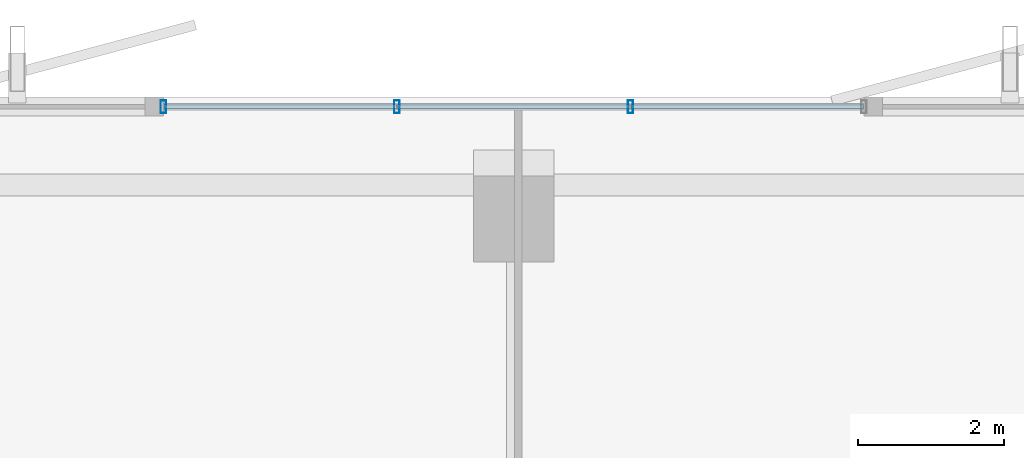
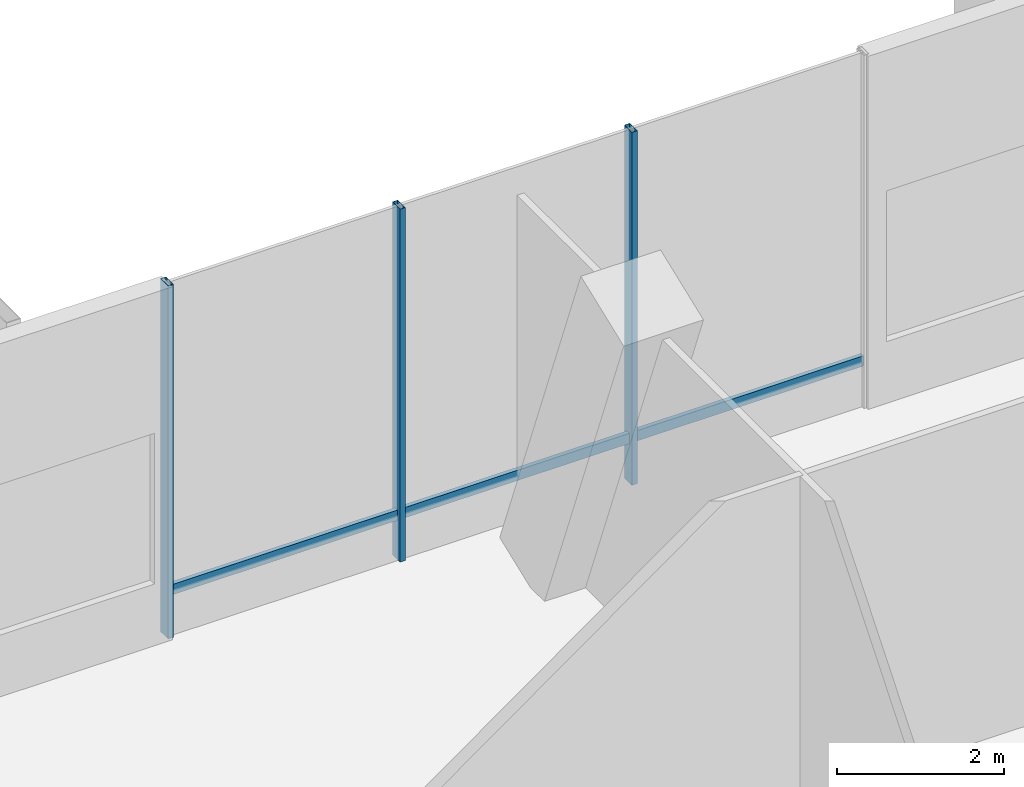
# One storey, part 22 of 33: 6 members, 1 element without a shape of its own.
"""IFC4 building model written with IfcOpenShell, lengths in metres."""

from ifc_helpers import new_model, si_unit, direction, frame, origin, origin_2d, place, context, subcontext, project, spatial, hollow_rectangle, extrude, material, layer, layer_set, material_profile, profile_set, type_object, element, aggregate, save


model = new_model("IFC4")

# Units and contexts
model_context = context("Model", 3, precision=1e-05, world=origin(), true_north=direction((0.0, 1.0)))
body_context = subcontext(model_context, "Body", "Model", "MODEL_VIEW")
ifc_project = project(units=[si_unit("LENGTHUNIT", "METRE"), si_unit("AREAUNIT", "SQUARE_METRE"), si_unit("VOLUMEUNIT", "CUBIC_METRE"), si_unit("PLANEANGLEUNIT", "RADIAN"), si_unit("MASSUNIT", "GRAM", prefix="KILO")], contexts=[model_context])

# Site, building, storey
site_placement = place(None, origin())
site = spatial("IfcSite", under=ifc_project, at=site_placement, CompositionType="ELEMENT")
building_placement = place(site_placement, origin())
building = spatial("IfcBuilding", under=site, at=building_placement, Name="Belovzor Exchange Tower", CompositionType="ELEMENT")
storey_placement = place(building_placement, frame((0.0, 0.0, 241.199951171875)))
storey = spatial("IfcBuildingStorey", under=building, at=storey_placement, Name="L60", CompositionType="ELEMENT", Elevation=241.199951171875)

# Curtain wall, members
ifc_material_1 = material(Name="Anodised Aluminium Framing", Category="aluminium")
ifc_layer = layer(ifc_material_1, 0.239990234375)
ifc_layer_set = layer_set([ifc_layer], Name="Anodised Aluminium Framing")
curtain_wall_type = type_object("IfcCurtainWallType", Name="Sky-Lobby Double-Skin Acoustic Curtain Wall", PredefinedType="NOTDEFINED", material=ifc_layer_set)
curtain_wall_placement = place(storey_placement, origin())
curtain_wall = element("IfcCurtainWall", 1, at=curtain_wall_placement, inside=storey, type_object=curtain_wall_type, Name="CW4 Sky-Lobby Double-Skin Acoustic Curtain Wall L60", PredefinedType="NOTDEFINED")
ifc_material_2 = material(Name="Steel S355", Category="steel")
ifc_material_profile_1 = material_profile(ifc_material_2, hollow_rectangle(XDim=0.074951171875, YDim=0.179931640625, WallThickness=0.0048828125, at=origin_2d()))
ifc_profile_set_1 = profile_set([ifc_material_profile_1], Name="Steel S355")
member_type_1 = type_object("IfcMemberType", Name="Thermally Broken Curtain Wall Mullion 180x75", PredefinedType="MULLION", material=ifc_profile_set_1)
member_1_placement = place(storey_placement, frame((24.0, 55.669921875, 0.0), z_axis=(0.0, 0.0, 1.0), x_axis=(1.0, 0.0, 0.0)))
member_1 = element("IfcMember", 2, at=member_1_placement, type_object=member_type_1, Name="CW-M180 Curtain Wall Mullion 1", PredefinedType="MULLION", context=body_context, shape_type="SweptSolid", body=[
    extrude(hollow_rectangle(XDim=0.074951171875, YDim=0.179931640625, WallThickness=0.0048828125, at=origin_2d()), origin(), (0.0, 0.0, 1.0), 5.150146484375),
])
member_2_placement = place(storey_placement, frame((27.199951171875, 55.669921875, 0.0), z_axis=(0.0, 0.0, 1.0), x_axis=(1.0, 0.0, 0.0)))
member_2 = element("IfcMember", 3, at=member_2_placement, type_object=member_type_1, Name="CW-M180 Curtain Wall Mullion 2", PredefinedType="MULLION", context=body_context, shape_type="SweptSolid", body=[
    extrude(hollow_rectangle(XDim=0.074951171875, YDim=0.179931640625, WallThickness=0.0048828125, at=origin_2d()), origin(), (0.0, 0.0, 1.0), 5.150146484375),
])
member_3_placement = place(storey_placement, frame((30.39990234375, 55.669921875, 0.0), z_axis=(0.0, 0.0, 1.0), x_axis=(1.0, 0.0, 0.0)))
member_3 = element("IfcMember", 4, at=member_3_placement, type_object=member_type_1, Name="CW-M180 Curtain Wall Mullion 3", PredefinedType="MULLION", context=body_context, shape_type="SweptSolid", body=[
    extrude(hollow_rectangle(XDim=0.074951171875, YDim=0.179931640625, WallThickness=0.0048828125, at=origin_2d()), origin(), (0.0, 0.0, 1.0), 5.150146484375),
])
ifc_material_3 = material(Name="Steel S355", Category="steel")
ifc_material_profile_2 = material_profile(ifc_material_3, hollow_rectangle(XDim=0.06005859375, YDim=0.14990234375, WallThickness=0.00390625, at=origin_2d()))
ifc_profile_set_2 = profile_set([ifc_material_profile_2], Name="Steel S355")
member_type_2 = type_object("IfcMemberType", Name="Thermally Broken Curtain Wall Transom 150x60", PredefinedType="USERDEFINED", material=ifc_profile_set_2)
member_4_placement = place(storey_placement, frame((24.008056640625, 55.669921875, 0.650146484375), z_axis=(1.0, 0.0, 0.0), x_axis=(0.0, 1.0, 0.0)))
member_4 = element("IfcMember", 5, at=member_4_placement, type_object=member_type_2, Name="CW-T150 Curtain Wall Transom 1", ObjectType="TRANSOM", PredefinedType="USERDEFINED", context=body_context, shape_type="SweptSolid", body=[
    extrude(hollow_rectangle(XDim=0.06005859375, YDim=0.14990234375, WallThickness=0.00390625, at=origin_2d()), origin(), (0.0, 0.0, 1.0), 3.183837890625),
])
member_5_placement = place(storey_placement, frame((27.2080078125, 55.669921875, 0.650146484375), z_axis=(1.0, 0.0, 0.0), x_axis=(0.0, 1.0, 0.0)))
member_5 = element("IfcMember", 6, at=member_5_placement, type_object=member_type_2, Name="CW-T150 Curtain Wall Transom 2", ObjectType="TRANSOM", PredefinedType="USERDEFINED", context=body_context, shape_type="SweptSolid", body=[
    extrude(hollow_rectangle(XDim=0.06005859375, YDim=0.14990234375, WallThickness=0.00390625, at=origin_2d()), origin(), (0.0, 0.0, 1.0), 3.18408203125),
])
member_6_placement = place(storey_placement, frame((30.407958984375, 55.669921875, 0.650146484375), z_axis=(1.0, 0.0, 0.0), x_axis=(0.0, 1.0, 0.0)))
member_6 = element("IfcMember", 7, at=member_6_placement, type_object=member_type_2, Name="CW-T150 Curtain Wall Transom 3", ObjectType="TRANSOM", PredefinedType="USERDEFINED", context=body_context, shape_type="SweptSolid", body=[
    extrude(hollow_rectangle(XDim=0.06005859375, YDim=0.14990234375, WallThickness=0.00390625, at=origin_2d()), origin(), (0.0, 0.0, 1.0), 3.18408203125),
])
aggregate(curtain_wall, [member_1, member_2, member_3, member_4, member_5, member_6])

save(model, "model.ifc")
